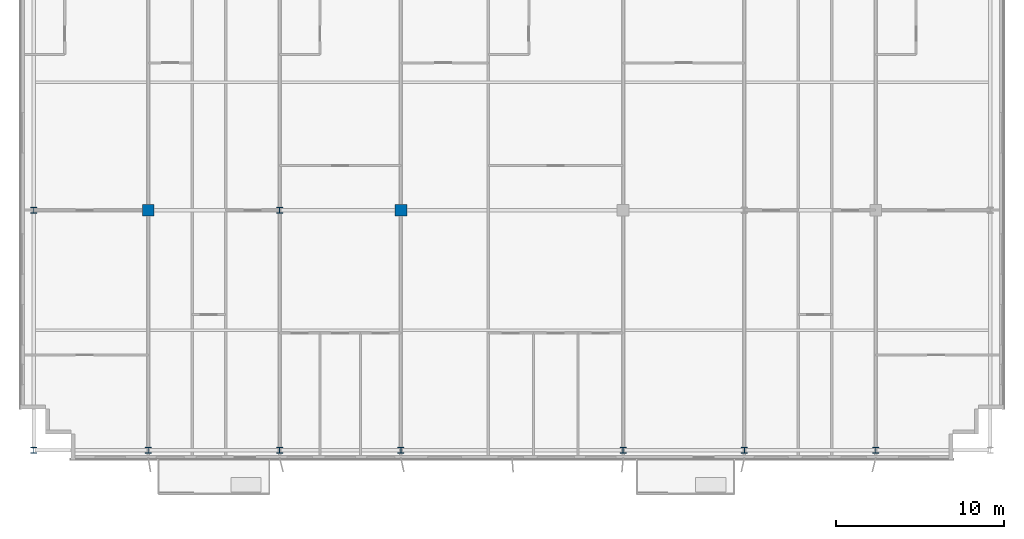
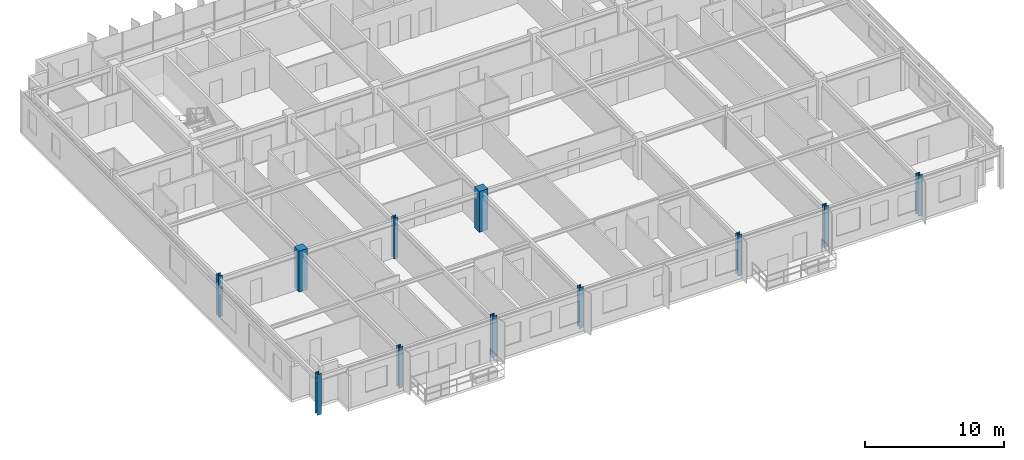
# One storey, part 1 of 23: 11 columns.
"""IFC4 building model written with IfcOpenShell, lengths in metres."""

import ifcopenshell
import ifcopenshell.guid

model = None  # the IFC model being written
_history = None  # IfcOwnerHistory: only IFC2X3 demands one
_inside = {}  # id of a spatial element -> (the spatial element, [elements in it])
_under = {}  # id of a project, library or spatial element -> (it, [spatial elements below it])
_declared = {}  # id of a project -> (the project, [libraries it declares])
_typed = {}  # id of a type object -> (the type object, [elements of that type])
_made_of = {}  # id of a material, layer set ... -> (it, [elements and type objects made of it])


def new_model(schema):
    """Start an empty IFC model of exactly this schema.

    Asked for "IFC4X3", IfcOpenShell would pick the latest addendum, in which some entities
    have other attributes; the version numbers below select the first issue.
    IFC2X3 requires an IfcOwnerHistory on every rooted entity: one is made here for all.
    """
    global model, _history
    if schema == "IFC4X3":
        model = ifcopenshell.file(schema_version=(4, 3, 0, 0))
    else:
        model = ifcopenshell.file(schema=schema)
    _inside.clear()
    _under.clear()
    _declared.clear()
    _typed.clear()
    _made_of.clear()
    _history = None
    if model.schema == "IFC2X3":
        org = make("IfcOrganization", Name="unknown")
        user = make(
            "IfcPersonAndOrganization",
            ThePerson=make("IfcPerson", FamilyName="unknown"),
            TheOrganization=org,
        )
        app = make(
            "IfcApplication",
            ApplicationDeveloper=org,
            Version="unknown",
            ApplicationFullName="unknown",
            ApplicationIdentifier="unknown",
        )
        _history = make(
            "IfcOwnerHistory",
            OwningUser=user,
            OwningApplication=app,
            ChangeAction="ADDED",
            CreationDate=0,
        )
    return model


def make(cls, **values):
    """One entity of the class cls with the attributes given. An attribute that is None is left unset."""
    return model.create_entity(
        cls, **{name: value for name, value in values.items() if value is not None}
    )


def rooted(cls, **values):
    """An entity with a GlobalId (a new one), such as an element, a storey or a relation."""
    return make(cls, GlobalId=ifcopenshell.guid.new(), OwnerHistory=_history, **values)


def si_unit(unit_type, name, prefix=None):
    """IfcSIUnit, for example si_unit("LENGTHUNIT", "METRE", prefix="MILLI")."""
    return make("IfcSIUnit", UnitType=unit_type, Prefix=prefix, Name=name)


def assignment(units):
    """IfcUnitAssignment: the units of a project."""
    return None if units is None else make("IfcUnitAssignment", Units=units)


def point(xyz):
    """IfcCartesianPoint."""
    return None if xyz is None else make("IfcCartesianPoint", Coordinates=xyz)


def direction(xyz):
    """IfcDirection."""
    return None if xyz is None else make("IfcDirection", DirectionRatios=xyz)


def frame(location, z_axis=None, x_axis=None):
    """IfcAxis2Placement3D, a coordinate frame: its origin and axes. An axis left out is left unset."""
    return make(
        "IfcAxis2Placement3D",
        Location=point(location),
        Axis=direction(z_axis),
        RefDirection=direction(x_axis),
    )


def frame_2d(location, x_axis=None):
    """IfcAxis2Placement2D, a coordinate frame in the plane: its origin and x axis."""
    return make(
        "IfcAxis2Placement2D", Location=point(location), RefDirection=direction(x_axis)
    )


def origin():
    """The frame at (0, 0, 0) with its axes left unset."""
    return frame((0.0, 0.0, 0.0))


def origin_2d():
    """The frame at (0, 0) in the plane with its x axis left unset."""
    return frame_2d((0.0, 0.0))


def place(relative_to, where):
    """IfcLocalPlacement: puts the frame where relative to a parent placement (None: the world)."""
    return make(
        "IfcLocalPlacement", PlacementRelTo=relative_to, RelativePlacement=where
    )


def context(
    kind, dimensions, precision=None, world=None, true_north=None, identifier=None
):
    """IfcGeometricRepresentationContext, for example the 3D "Model" context."""
    return make(
        "IfcGeometricRepresentationContext",
        ContextIdentifier=identifier,
        ContextType=kind,
        CoordinateSpaceDimension=dimensions,
        Precision=precision,
        WorldCoordinateSystem=world,
        TrueNorth=true_north,
    )


def subcontext(parent, identifier, kind, view, scale=None):
    """IfcGeometricRepresentationSubContext, for example "Body" below "Model"."""
    return make(
        "IfcGeometricRepresentationSubContext",
        ContextIdentifier=identifier,
        ContextType=kind,
        ParentContext=parent,
        TargetScale=scale,
        TargetView=view,
    )


def project(units=None, contexts=None):
    """IfcProject with its units and contexts."""
    return rooted(
        "IfcProject",
        Name="project",
        RepresentationContexts=contexts,
        UnitsInContext=assignment(units),
    )


def spatial(cls, under=None, at=None, **own):
    """A site, building, storey or space (cls), placed at a placement, below another one or the project."""
    s = rooted(cls, ObjectPlacement=at, **own)
    if under is not None:
        _under.setdefault(under.id(), (under, []))[1].append(s)
    return s


def profile(cls, at=None, kind="AREA", **sizes):
    """A parametric profile (cls). Its sizes go by their IFC names, for example OverallWidth=200.0."""
    return make(cls, ProfileType=kind, Position=at, **sizes)


def rectangle(**sizes):
    """IfcRectangleProfileDef."""
    return profile("IfcRectangleProfileDef", **sizes)


def i_section(**sizes):
    """IfcIShapeProfileDef."""
    return profile("IfcIShapeProfileDef", **sizes)


def extrude(swept, where, along, depth):
    """IfcExtrudedAreaSolid: the profile swept, set in the frame where, extruded along a direction by depth."""
    return make(
        "IfcExtrudedAreaSolid",
        SweptArea=swept,
        Position=where,
        ExtrudedDirection=direction(along),
        Depth=depth,
    )


def shape(context_of_items, identifier, shape_type, items):
    """IfcShapeRepresentation: the items that make up one representation, for example the "Body"."""
    return make(
        "IfcShapeRepresentation",
        ContextOfItems=context_of_items,
        RepresentationIdentifier=identifier,
        RepresentationType=shape_type,
        Items=items,
    )


def source(mapping_origin, context_of_items, identifier, shape_type, items):
    """IfcRepresentationMap: a shape defined once, which mapped items show again and again."""
    return make(
        "IfcRepresentationMap",
        MappingOrigin=mapping_origin,
        MappedRepresentation=shape(context_of_items, identifier, shape_type, items),
    )


def transform(
    local_origin,
    x_axis=None,
    y_axis=None,
    z_axis=None,
    scale=None,
    scale2=None,
    scale3=None,
    uniform=True,
):
    """IfcCartesianTransformationOperator3D, or its non-uniform kind. x_axis, y_axis, z_axis: its Axis1, 2, 3."""
    if uniform:
        return make(
            "IfcCartesianTransformationOperator3D",
            Axis1=direction(x_axis),
            Axis2=direction(y_axis),
            LocalOrigin=point(local_origin),
            Scale=scale,
            Axis3=direction(z_axis),
        )
    return make(
        "IfcCartesianTransformationOperator3DnonUniform",
        Axis1=direction(x_axis),
        Axis2=direction(y_axis),
        LocalOrigin=point(local_origin),
        Scale=scale,
        Axis3=direction(z_axis),
        Scale2=scale2,
        Scale3=scale3,
    )


def mapped(mapping_source, mapping_target):
    """IfcMappedItem: shows the shape of a source again, moved by a transform."""
    return make(
        "IfcMappedItem", MappingSource=mapping_source, MappingTarget=mapping_target
    )


def material(Name=None, Category=None):
    """IfcMaterial."""
    return make("IfcMaterial", Name=Name, Category=Category)


def material_profile(
    of_material, cross_section, Name=None, Category=None, Priority=None
):
    """IfcMaterialProfile: a cross section and its material."""
    return make(
        "IfcMaterialProfile",
        Name=Name,
        Material=of_material,
        Profile=cross_section,
        Priority=Priority,
        Category=Category,
    )


def profile_set(profiles, Name=None, composite=None):
    """IfcMaterialProfileSet."""
    return make(
        "IfcMaterialProfileSet",
        Name=Name,
        MaterialProfiles=profiles,
        CompositeProfile=composite,
    )


def made_of(thing, what):
    """Note that an element or type object is made of a material, layer set ...; save() writes the relation."""
    if what is not None:
        _made_of.setdefault(what.id(), (what, []))[1].append(thing)
    return thing


def type_object(cls, material=None, **own):
    """A type object (cls), such as IfcWallType, which elements share."""
    return made_of(rooted(cls, **own), material)


def element(
    cls,
    number,
    at=None,
    inside=None,
    cuts=None,
    type_object=None,
    material=None,
    context=None,
    identifier="Body",
    shape_type=None,
    held_by="IfcProductDefinitionShape",
    body=None,
    shapes=None,
    **own,
):
    """One element of the class cls, such as IfcWall. Its Tag is "e" and its number.

    at: its placement. inside: the storey or other place that contains it. cuts: it is an
    opening in that element (IfcRelVoidsElement). A single representation is given by context,
    identifier, shape_type and body (its items); several are given by shapes. held_by: the class
    of the entity that holds the representations. save() writes the other relations.
    """
    e = rooted(cls, Tag="e%d" % number, ObjectPlacement=at, **own)
    if body is not None:
        shapes = [shape(context, identifier, shape_type, body)]
    if shapes is not None:
        e.Representation = make(held_by, Representations=shapes)
    if inside is not None:
        _inside.setdefault(inside.id(), (inside, []))[1].append(e)
    if cuts is not None:
        rooted(
            "IfcRelVoidsElement", RelatingBuildingElement=cuts, RelatedOpeningElement=e
        )
    if type_object is not None:
        _typed.setdefault(type_object.id(), (type_object, []))[1].append(e)
    return made_of(e, material)


def aggregate(whole, parts):
    """IfcRelAggregates: a whole, such as a stair, and the parts it consists of."""
    return rooted("IfcRelAggregates", RelatingObject=whole, RelatedObjects=parts)


def save(model, path):
    """Write the relations noted so far, then the file.

    IfcRelAggregates (storeys below a building ...), IfcRelContainedInSpatialStructure (elements
    in a storey), IfcRelDefinesByType, IfcRelAssociatesMaterial and IfcRelDeclares: one each for
    every whole, place, type object, material and project.
    """
    for whole, parts in _under.values():
        aggregate(whole, parts)
    for where, things in _inside.values():
        rooted(
            "IfcRelContainedInSpatialStructure",
            RelatedElements=things,
            RelatingStructure=where,
        )
    for kind, things in _typed.values():
        rooted("IfcRelDefinesByType", RelatedObjects=things, RelatingType=kind)
    for what, things in _made_of.values():
        rooted("IfcRelAssociatesMaterial", RelatedObjects=things, RelatingMaterial=what)
    for by, libraries in _declared.values():
        rooted("IfcRelDeclares", RelatingContext=by, RelatedDefinitions=libraries)
    model.write(path)


model = new_model("IFC4")

# Units and contexts
model_context = context("Model", 3, precision=1e-05, world=origin(), true_north=direction((0.0, 1.0)))
body_context = subcontext(model_context, "Body", "Model", "MODEL_VIEW")
ifc_project = project(units=[si_unit("LENGTHUNIT", "METRE"), si_unit("AREAUNIT", "SQUARE_METRE"), si_unit("VOLUMEUNIT", "CUBIC_METRE"), si_unit("PLANEANGLEUNIT", "RADIAN"), si_unit("MASSUNIT", "GRAM", prefix="KILO")], contexts=[model_context])

# Site, building, storey
site_placement = place(None, origin())
site = spatial("IfcSite", under=ifc_project, at=site_placement, CompositionType="ELEMENT")
building_placement = place(site_placement, origin())
building = spatial("IfcBuilding", under=site, at=building_placement, Name="Trelvane Seafront Commons", CompositionType="ELEMENT")
storey_placement = place(building_placement, frame((0.0, 0.0, 212.10009765625)))
storey = spatial("IfcBuildingStorey", under=building, at=storey_placement, Name="L55", CompositionType="ELEMENT", Elevation=212.10009765625)

# Columns
ifc_material_1 = material(Name="Concrete C50/60", Category="concrete")
ifc_material_profile_1 = material_profile(ifc_material_1, rectangle(XDim=0.699951171875, YDim=0.699951171875, at=origin_2d()), Name="RC-700x700")
ifc_profile_set_1 = profile_set([ifc_material_profile_1], Name="Concrete C50/60")
column_type_1 = type_object("IfcColumnType", Name="STR-COL-RC700", PredefinedType="COLUMN", material=ifc_profile_set_1)
shared_shape_1 = source(origin(), body_context, "Body", "SweptSolid", [
    extrude(rectangle(XDim=0.699951171875, YDim=0.699951171875, at=origin_2d()), origin(), (0.0, 0.0, 1.0), 3.599853515625),
])
for number, where, z_axis, x_axis, name in (
    (1, (15.60009765625, 18.199951171875, 0.0), (0.0, 0.0, 1.0), (1.0, 0.0, 0.0), "L55 Column TC-M15.6"),
    (2, (30.60009765625, 18.199951171875, 0.0), (0.0, 0.0, 1.0), (1.0, 0.0, 0.0), "L55 Column TC-M30.6"),
):
    element("IfcColumn", number, at=place(storey_placement, frame(where, z_axis=z_axis, x_axis=x_axis)), inside=storey, type_object=column_type_1, Name=name, PredefinedType="COLUMN", context=body_context, shape_type="MappedRepresentation", body=[
        mapped(shared_shape_1, transform((0.0, 0.0, 0.0), x_axis=(1.0, 0.0, 0.0), y_axis=(0.0, 1.0, 0.0), z_axis=(0.0, 0.0, 1.0), scale=1.0)),
    ])
ifc_material_2 = material(Name="Steel SM355 (S355)", Category="steel")
ifc_material_profile_2 = material_profile(ifc_material_2, i_section(OverallWidth=0.35009765625, OverallDepth=0.35009765625, WebThickness=0.01806640625, FlangeThickness=0.028076171875, at=origin_2d()), Name="HD-350x350x18x28")
ifc_profile_set_2 = profile_set([ifc_material_profile_2], Name="Steel SM355 (S355)")
column_type_2 = type_object("IfcColumnType", Name="STR-COL-HD350", PredefinedType="COLUMN", material=ifc_profile_set_2)
shared_shape_2 = source(origin(), body_context, "Body", "SweptSolid", [
    extrude(i_section(OverallWidth=0.35009765625, OverallDepth=0.35009765625, WebThickness=0.01806640625, FlangeThickness=0.028076171875, at=origin_2d()), origin(), (0.0, 0.0, 1.0), 3.599853515625),
])
for number, where, z_axis, x_axis, name in (
    (3, (8.800048828125, 3.949951171875, 0.0), (0.0, 0.0, 1.0), (1.0, 0.0, 0.0), "L55 Column TC-S8.8"),
    (4, (8.800048828125, 18.199951171875, 0.0), (0.0, 0.0, 1.0), (1.0, 0.0, 0.0), "L55 Column TC-M8.8"),
    (5, (15.60009765625, 3.949951171875, 0.0), (0.0, 0.0, 1.0), (1.0, 0.0, 0.0), "L55 Column TC-S15.6"),
    (6, (23.39990234375, 3.949951171875, 0.0), (0.0, 0.0, 1.0), (1.0, 0.0, 0.0), "L55 Column TC-S23.4"),
    (7, (23.39990234375, 18.199951171875, 0.0), (0.0, 0.0, 1.0), (1.0, 0.0, 0.0), "L55 Column TC-M23.4"),
    (8, (30.60009765625, 3.949951171875, 0.0), (0.0, 0.0, 1.0), (1.0, 0.0, 0.0), "L55 Column TC-S30.6"),
    (9, (43.800048828125, 3.949951171875, 0.0), (0.0, 0.0, 1.0), (1.0, 0.0, 0.0), "L55 Column TC-S43.8"),
    (10, (51.0, 3.949951171875, 0.0), (0.0, 0.0, 1.0), (1.0, 0.0, 0.0), "L55 Column TC-S51.0"),
    (11, (58.800048828125, 3.949951171875, 0.0), (0.0, 0.0, 1.0), (1.0, 0.0, 0.0), "L55 Column TC-S58.8"),
):
    element("IfcColumn", number, at=place(storey_placement, frame(where, z_axis=z_axis, x_axis=x_axis)), inside=storey, type_object=column_type_2, Name=name, PredefinedType="COLUMN", context=body_context, shape_type="MappedRepresentation", body=[
        mapped(shared_shape_2, transform((0.0, 0.0, 0.0), x_axis=(1.0, 0.0, 0.0), y_axis=(0.0, 1.0, 0.0), z_axis=(0.0, 0.0, 1.0), scale=1.0)),
    ])

save(model, "model.ifc")
